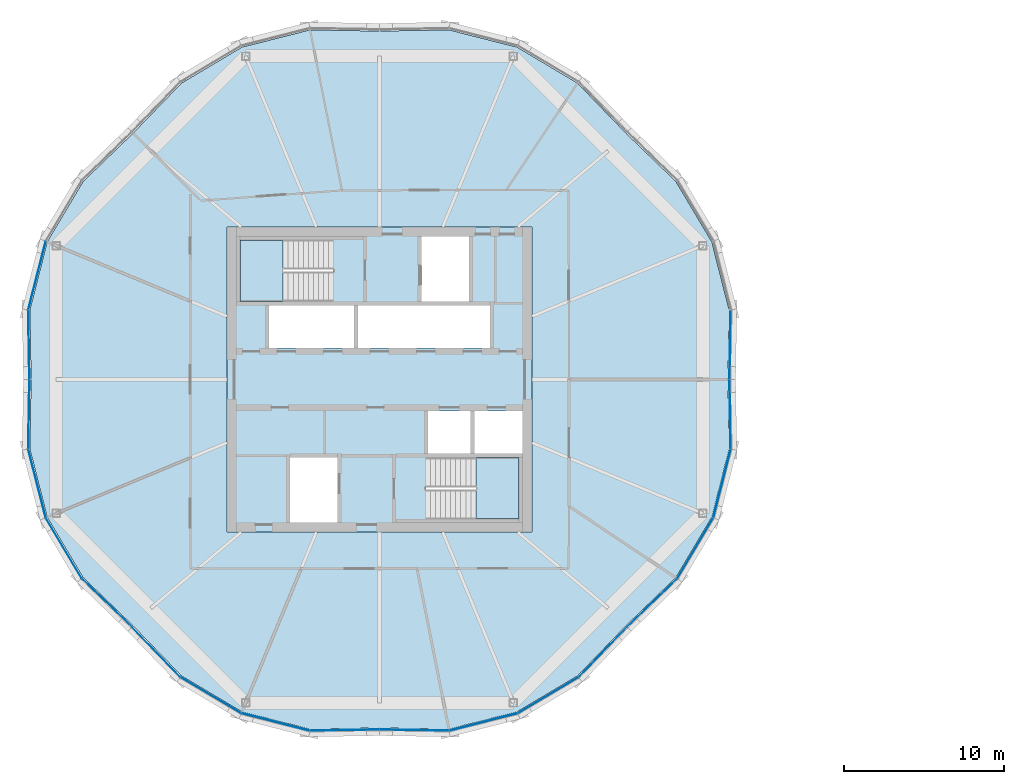
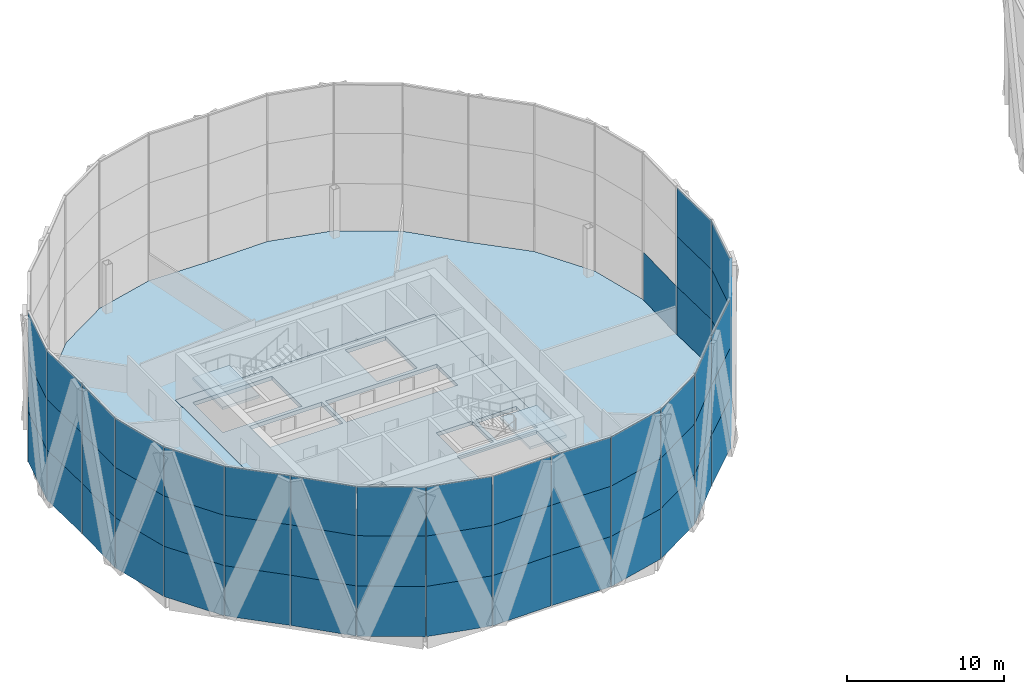
# One storey, part 13 of 23: 55 plates, 4 slabs, 8 elements without a shape of their own.
"""IFC4 building model written with IfcOpenShell, lengths in metres."""

from ifc_helpers import new_model, si_unit, direction, frame, origin, origin_2d, place, context, subcontext, project, spatial, polyline, rectangle, outline, extrude, material, layer, layer_set, type_object, element, aggregate, save


model = new_model("IFC4")

# Units and contexts
model_context = context("Model", 3, precision=1e-05, world=origin(), true_north=direction((0.0, 1.0)))
body_context = subcontext(model_context, "Body", "Model", "MODEL_VIEW")
ifc_project = project(units=[si_unit("LENGTHUNIT", "METRE"), si_unit("AREAUNIT", "SQUARE_METRE"), si_unit("VOLUMEUNIT", "CUBIC_METRE"), si_unit("PLANEANGLEUNIT", "RADIAN"), si_unit("MASSUNIT", "GRAM", prefix="KILO")], contexts=[model_context])

# Site, building, storey
site_placement = place(None, origin())
site = spatial("IfcSite", under=ifc_project, at=site_placement, CompositionType="ELEMENT")
building_placement = place(site_placement, origin())
building = spatial("IfcBuilding", under=site, at=building_placement, Name="Ogive Gate Towers", CompositionType="ELEMENT")
storey_placement = place(building_placement, frame((0.0, 0.0, 177.300048828125)))
storey = spatial("IfcBuildingStorey", under=building, at=storey_placement, Name="L42", CompositionType="ELEMENT", Elevation=177.300048828125)

# Slabs
ifc_material_1 = material(Name="Concrete C40/50", Category="concrete")
ifc_layer_1 = layer(ifc_material_1, 0.300048828125)
ifc_layer_set_1 = layer_set([ifc_layer_1], Name="Core slab C40/50 300 mm")
slab_type_1 = type_object("IfcSlabType", Name="Core slab C40/50 300 mm", PredefinedType="FLOOR", material=ifc_layer_set_1)
slab_1_placement = place(storey_placement, frame((0.0, 0.0, -0.300048828125)))
element("IfcSlab", 1, at=slab_1_placement, inside=storey, type_object=slab_type_1, Name="T1 L42 core slab", PredefinedType="FLOOR", context=body_context, shape_type="SweptSolid", body=[
    extrude(outline(polyline([(-45.5, -9.5), (-45.5, 9.5), (-26.5, 9.5), (-26.5, -9.5), (-45.5, -9.5)]), holes=[polyline([(-42.875, 1.949951171875), (-37.574951171875, 1.949951171875), (-37.574951171875, 4.625), (-42.875, 4.625), (-42.875, 1.949951171875)]), polyline([(-37.324951171875, 4.625), (-37.324951171875, 1.949951171875), (-29.125, 1.949951171875), (-29.125, 4.625), (-37.324951171875, 4.625)]), polyline([(-30.324951171875, -1.949951171875), (-32.97509765625, -1.949951171875), (-32.97509765625, -4.625), (-30.324951171875, -4.625), (-30.324951171875, -1.949951171875)]), polyline([(-27.10009765625, -4.625), (-27.10009765625, -1.949951171875), (-30.074951171875, -1.949951171875), (-30.074951171875, -4.625), (-27.10009765625, -4.625)]), polyline([(-33.375, 4.875), (-30.425048828125, 4.875), (-30.425048828125, 8.89990234375), (-33.375, 8.89990234375), (-33.375, 4.875)]), polyline([(-41.574951171875, -4.875), (-41.574951171875, -8.89990234375), (-38.625, -8.89990234375), (-38.625, -4.875), (-41.574951171875, -4.875)]), polyline([(-44.699951171875, 4.875), (-38.885009765625, 4.875), (-38.885009765625, 8.699951171875), (-44.699951171875, 8.699951171875), (-44.699951171875, 4.875)]), polyline([(-27.300048828125, -8.699951171875), (-27.300048828125, -4.875), (-33.114990234375, -4.875), (-33.114990234375, -8.699951171875), (-27.300048828125, -8.699951171875)])]), origin(), (0.0, 0.0, 1.0), 0.300048828125),
])
ifc_material_2 = material(Name="Concrete C35/45", Category="concrete")
ifc_layer_2 = layer(ifc_material_2, 0.300048828125)
ifc_layer_set_2 = layer_set([ifc_layer_2], Name="Floor slab 300")
slab_type_2 = type_object("IfcSlabType", Name="Floor slab 300", PredefinedType="FLOOR", material=ifc_layer_set_2)
slab_2_placement = place(storey_placement, frame((0.0, 0.0, -0.300048828125)))
element("IfcSlab", 2, at=slab_2_placement, inside=storey, type_object=slab_type_2, Name="T1/L42/SSL001", PredefinedType="FLOOR", context=body_context, shape_type="SweptSolid", body=[
    extrude(outline(polyline([(-14.216796875, -4.3330078125), (-14.2900390625, 0.0), (-14.216796875, 4.3330078125), (-15.2958984375, 8.575927734375), (-17.532958984375, 12.339111328125), (-20.648681640625, 15.351318359375), (-23.660888671875, 18.467041015625), (-27.424072265625, 20.7041015625), (-31.6669921875, 21.783203125), (-36.0, 21.7099609375), (-40.3330078125, 21.783203125), (-44.575927734375, 20.7041015625), (-48.339111328125, 18.467041015625), (-51.351318359375, 15.351318359375), (-54.467041015625, 12.339111328125), (-56.7041015625, 8.575927734375), (-57.783203125, 4.3330078125), (-57.7099609375, 0.0), (-57.783203125, -4.3330078125), (-56.7041015625, -8.575927734375), (-54.467041015625, -12.339111328125), (-51.351318359375, -15.351318359375), (-48.339111328125, -18.467041015625), (-44.575927734375, -20.7041015625), (-40.3330078125, -21.783203125), (-36.0, -21.7099609375), (-31.6669921875, -21.783203125), (-27.424072265625, -20.7041015625), (-23.660888671875, -18.467041015625), (-20.648681640625, -15.351318359375), (-17.532958984375, -12.339111328125), (-15.2958984375, -8.575927734375), (-14.216796875, -4.3330078125)]), holes=[polyline([(-26.5, -9.5), (-45.5, -9.5), (-45.5, 9.5), (-26.5, 9.5), (-26.5, -9.5)])]), origin(), (0.0, 0.0, 1.0), 0.300048828125),
])

# Stair, slab
stair_type = type_object("IfcStairType", Name="Escape stair 1840 wide", PredefinedType="HALF_TURN_STAIR", material=ifc_material_1)
stair_1_placement = place(storey_placement, origin())
stair_1 = element("IfcStair", 3, at=stair_1_placement, inside=storey, type_object=stair_type, Name="L42 Escape stair 1", PredefinedType="HALF_TURN_STAIR")
ifc_layer_3 = layer(ifc_material_1, 0.199951171875)
ifc_layer_set_3 = layer_set([ifc_layer_3], Name="Stair landing 200 mm")
slab_type_3 = type_object("IfcSlabType", Name="Stair landing 200 mm", PredefinedType="LANDING", material=ifc_layer_set_3)
slab_3_placement = place(storey_placement, frame((0.0, 0.0, 1.75)))
slab_3 = element("IfcSlab", 4, at=slab_3_placement, type_object=slab_type_3, Name="ST1 landing 1", PredefinedType="LANDING", context=body_context, shape_type="SweptSolid", body=[
    extrude(outline(polyline([(-42.00146484375, 8.699951171875), (-44.699951171875, 8.699951171875), (-44.699951171875, 4.875), (-42.00146484375, 4.875), (-42.00146484375, 8.699951171875)])), origin(), (0.0, 0.0, 1.0), 0.199951171875),
])
aggregate(stair_1, [slab_3])

stair_2_placement = place(storey_placement, origin())
stair_2 = element("IfcStair", 5, at=stair_2_placement, inside=storey, type_object=stair_type, Name="L42 Escape stair 2", PredefinedType="HALF_TURN_STAIR")
slab_4_placement = place(storey_placement, frame((0.0, 0.0, 1.75)))
slab_4 = element("IfcSlab", 6, at=slab_4_placement, type_object=slab_type_3, Name="ST2 landing 1", PredefinedType="LANDING", context=body_context, shape_type="SweptSolid", body=[
    extrude(outline(polyline([(-29.99853515625, -8.699951171875), (-27.300048828125, -8.699951171875), (-27.300048828125, -4.875), (-29.99853515625, -4.875), (-29.99853515625, -8.699951171875)])), origin(), (0.0, 0.0, 1.0), 0.199951171875),
])
aggregate(stair_2, [slab_4])

# Curtain wall, plate
ifc_material_3 = material(Name="Pale metal aluminium", Category="aluminium")
curtain_wall_type = type_object("IfcCurtainWallType", Name="Tower unitised wall, high zone", PredefinedType="NOTDEFINED", material=ifc_material_3)
curtain_wall_1_placement = place(storey_placement, origin())
curtain_wall_1 = element("IfcCurtainWall", 7, at=curtain_wall_1_placement, inside=storey, type_object=curtain_wall_type, Name="CW2 T1 ECW01", PredefinedType="NOTDEFINED")
ifc_material_4 = material(Name="Clear glass", Category="glass")
ifc_layer_4 = layer(ifc_material_4, 0.028076171875)
ifc_layer_set_4 = layer_set([ifc_layer_4], Name="Tower unitised wall, high zone glass panel")
plate_type = type_object("IfcPlateType", Name="Tower unitised wall, high zone glass panel", PredefinedType="CURTAIN_PANEL", material=ifc_layer_set_4)
plate_1_placement = place(storey_placement, frame((-14.1533203125, 2.17041015625, -0.300048828125), z_axis=(0.0, 0.0, 1.0), x_axis=(0.016911434246, 0.99985699147, 0.0)))
plate_1 = element("IfcPlate", 8, at=plate_1_placement, type_object=plate_type, Name="CW2 glass panel", PredefinedType="CURTAIN_PANEL", context=body_context, shape_type="SweptSolid", body=[
    extrude(rectangle(XDim=4.287353515625, YDim=0.028076171875, at=origin_2d()), origin(), (0.0, 0.0, 1.0), 3.89990234375),
])
aggregate(curtain_wall_1, [plate_1])

# Curtain wall, plates
curtain_wall_2_placement = place(storey_placement, origin())
curtain_wall_2 = element("IfcCurtainWall", 9, at=curtain_wall_2_placement, inside=storey, type_object=curtain_wall_type, Name="CW2 T1 ECW04", PredefinedType="NOTDEFINED")
plate_2_placement = place(storey_placement, frame((-57.340576171875, 6.4794921875, -0.300048828125), z_axis=(0.0, 0.0, 1.0), x_axis=(-0.246491603437, -0.969144926951, 0.0)))
plate_2 = element("IfcPlate", 10, at=plate_2_placement, type_object=plate_type, Name="CW2 glass panel", PredefinedType="CURTAIN_PANEL", context=body_context, shape_type="SweptSolid", body=[
    extrude(rectangle(XDim=4.343994140625, YDim=0.028076171875, at=origin_2d()), origin(), (0.0, 0.0, 1.0), 3.89990234375),
])
plate_3_placement = place(storey_placement, frame((-57.340576171875, 6.4794921875, 3.60009765625), z_axis=(0.0, 0.0, 1.0), x_axis=(-0.246491603437, -0.969144926951, 0.0)))
plate_3 = element("IfcPlate", 11, at=plate_3_placement, type_object=plate_type, Name="CW2 glass panel", PredefinedType="CURTAIN_PANEL", context=body_context, shape_type="SweptSolid", body=[
    extrude(rectangle(XDim=4.343994140625, YDim=0.028076171875, at=origin_2d()), origin(), (0.0, 0.0, 1.0), 3.89990234375),
])
plate_4_placement = place(storey_placement, frame((-57.340576171875, 6.4794921875, 7.5), z_axis=(0.0, 0.0, 1.0), x_axis=(-0.246491603437, -0.969144926951, 0.0)))
plate_4 = element("IfcPlate", 12, at=plate_4_placement, type_object=plate_type, Name="CW2 glass panel", PredefinedType="CURTAIN_PANEL", context=body_context, shape_type="SweptSolid", body=[
    extrude(rectangle(XDim=4.343994140625, YDim=0.028076171875, at=origin_2d()), origin(), (0.0, 0.0, 1.0), 3.803955078125),
])
plate_5_placement = place(storey_placement, frame((-57.8466796875, 2.17041015625, -0.300048828125), z_axis=(0.0, 0.0, 1.0), x_axis=(0.016911434246, -0.99985699147, 0.0)))
plate_5 = element("IfcPlate", 13, at=plate_5_placement, type_object=plate_type, Name="CW2 glass panel", PredefinedType="CURTAIN_PANEL", context=body_context, shape_type="SweptSolid", body=[
    extrude(rectangle(XDim=4.287353515625, YDim=0.028076171875, at=origin_2d()), origin(), (0.0, 0.0, 1.0), 3.89990234375),
])
plate_6_placement = place(storey_placement, frame((-57.8466796875, 2.17041015625, 3.60009765625), z_axis=(0.0, 0.0, 1.0), x_axis=(0.016911434246, -0.99985699147, 0.0)))
plate_6 = element("IfcPlate", 14, at=plate_6_placement, type_object=plate_type, Name="CW2 glass panel", PredefinedType="CURTAIN_PANEL", context=body_context, shape_type="SweptSolid", body=[
    extrude(rectangle(XDim=4.287353515625, YDim=0.028076171875, at=origin_2d()), origin(), (0.0, 0.0, 1.0), 3.89990234375),
])
plate_7_placement = place(storey_placement, frame((-57.8466796875, 2.17041015625, 7.5), z_axis=(0.0, 0.0, 1.0), x_axis=(0.016911434246, -0.99985699147, 0.0)))
plate_7 = element("IfcPlate", 15, at=plate_7_placement, type_object=plate_type, Name="CW2 glass panel", PredefinedType="CURTAIN_PANEL", context=body_context, shape_type="SweptSolid", body=[
    extrude(rectangle(XDim=4.287353515625, YDim=0.028076171875, at=origin_2d()), origin(), (0.0, 0.0, 1.0), 3.803955078125),
])
aggregate(curtain_wall_2, [plate_2, plate_3, plate_4, plate_5, plate_6, plate_7])

curtain_wall_3_placement = place(storey_placement, origin())
curtain_wall_3 = element("IfcCurtainWall", 16, at=curtain_wall_3_placement, inside=storey, type_object=curtain_wall_type, Name="CW2 T1 ECW05", PredefinedType="NOTDEFINED")
plate_8_placement = place(storey_placement, frame((-57.8466796875, -2.17041015625, -0.300048828125), z_axis=(0.0, 0.0, 1.0), x_axis=(-0.016911434246, -0.99985699147, 0.0)))
plate_8 = element("IfcPlate", 17, at=plate_8_placement, type_object=plate_type, Name="CW2 glass panel", PredefinedType="CURTAIN_PANEL", context=body_context, shape_type="SweptSolid", body=[
    extrude(rectangle(XDim=4.287353515625, YDim=0.028076171875, at=origin_2d()), origin(), (0.0, 0.0, 1.0), 3.89990234375),
])
plate_9_placement = place(storey_placement, frame((-57.8466796875, -2.17041015625, 3.60009765625), z_axis=(0.0, 0.0, 1.0), x_axis=(-0.016911434246, -0.99985699147, 0.0)))
plate_9 = element("IfcPlate", 18, at=plate_9_placement, type_object=plate_type, Name="CW2 glass panel", PredefinedType="CURTAIN_PANEL", context=body_context, shape_type="SweptSolid", body=[
    extrude(rectangle(XDim=4.287353515625, YDim=0.028076171875, at=origin_2d()), origin(), (0.0, 0.0, 1.0), 3.89990234375),
])
plate_10_placement = place(storey_placement, frame((-57.8466796875, -2.17041015625, 7.5), z_axis=(0.0, 0.0, 1.0), x_axis=(-0.016911434246, -0.99985699147, 0.0)))
plate_10 = element("IfcPlate", 19, at=plate_10_placement, type_object=plate_type, Name="CW2 glass panel", PredefinedType="CURTAIN_PANEL", context=body_context, shape_type="SweptSolid", body=[
    extrude(rectangle(XDim=4.287353515625, YDim=0.028076171875, at=origin_2d()), origin(), (0.0, 0.0, 1.0), 3.803955078125),
])
plate_11_placement = place(storey_placement, frame((-57.340576171875, -6.4794921875, -0.300048828125), z_axis=(0.0, 0.0, 1.0), x_axis=(0.246491603437, -0.969144926951, 0.0)))
plate_11 = element("IfcPlate", 20, at=plate_11_placement, type_object=plate_type, Name="CW2 glass panel", PredefinedType="CURTAIN_PANEL", context=body_context, shape_type="SweptSolid", body=[
    extrude(rectangle(XDim=4.343994140625, YDim=0.028076171875, at=origin_2d()), origin(), (0.0, 0.0, 1.0), 3.89990234375),
])
plate_12_placement = place(storey_placement, frame((-57.340576171875, -6.4794921875, 3.60009765625), z_axis=(0.0, 0.0, 1.0), x_axis=(0.246491603437, -0.969144926951, 0.0)))
plate_12 = element("IfcPlate", 21, at=plate_12_placement, type_object=plate_type, Name="CW2 glass panel", PredefinedType="CURTAIN_PANEL", context=body_context, shape_type="SweptSolid", body=[
    extrude(rectangle(XDim=4.343994140625, YDim=0.028076171875, at=origin_2d()), origin(), (0.0, 0.0, 1.0), 3.89990234375),
])
plate_13_placement = place(storey_placement, frame((-57.340576171875, -6.4794921875, 7.5), z_axis=(0.0, 0.0, 1.0), x_axis=(0.246491603437, -0.969144926951, 0.0)))
plate_13 = element("IfcPlate", 22, at=plate_13_placement, type_object=plate_type, Name="CW2 glass panel", PredefinedType="CURTAIN_PANEL", context=body_context, shape_type="SweptSolid", body=[
    extrude(rectangle(XDim=4.343994140625, YDim=0.028076171875, at=origin_2d()), origin(), (0.0, 0.0, 1.0), 3.803955078125),
])
plate_14_placement = place(storey_placement, frame((-55.671875, -10.50830078125, -0.300048828125), z_axis=(0.0, 0.0, 1.0), x_axis=(0.510993065504, -0.859584834096, 0.0)))
plate_14 = element("IfcPlate", 23, at=plate_14_placement, type_object=plate_type, Name="CW2 glass panel", PredefinedType="CURTAIN_PANEL", context=body_context, shape_type="SweptSolid", body=[
    extrude(rectangle(XDim=4.343994140625, YDim=0.028076171875, at=origin_2d()), origin(), (0.0, 0.0, 1.0), 3.89990234375),
])
plate_15_placement = place(storey_placement, frame((-55.671875, -10.50830078125, 3.60009765625), z_axis=(0.0, 0.0, 1.0), x_axis=(0.510993065504, -0.859584834096, 0.0)))
plate_15 = element("IfcPlate", 24, at=plate_15_placement, type_object=plate_type, Name="CW2 glass panel", PredefinedType="CURTAIN_PANEL", context=body_context, shape_type="SweptSolid", body=[
    extrude(rectangle(XDim=4.343994140625, YDim=0.028076171875, at=origin_2d()), origin(), (0.0, 0.0, 1.0), 3.89990234375),
])
plate_16_placement = place(storey_placement, frame((-55.671875, -10.50830078125, 7.5), z_axis=(0.0, 0.0, 1.0), x_axis=(0.510993065504, -0.859584834096, 0.0)))
plate_16 = element("IfcPlate", 25, at=plate_16_placement, type_object=plate_type, Name="CW2 glass panel", PredefinedType="CURTAIN_PANEL", context=body_context, shape_type="SweptSolid", body=[
    extrude(rectangle(XDim=4.343994140625, YDim=0.028076171875, at=origin_2d()), origin(), (0.0, 0.0, 1.0), 3.803955078125),
])
plate_17_placement = place(storey_placement, frame((-52.982666015625, -13.9130859375, -0.300048828125), z_axis=(0.0, 0.0, 1.0), x_axis=(0.71896384872, -0.69504746905, 0.0)))
plate_17 = element("IfcPlate", 26, at=plate_17_placement, type_object=plate_type, Name="CW2 glass panel", PredefinedType="CURTAIN_PANEL", context=body_context, shape_type="SweptSolid", body=[
    extrude(rectangle(XDim=4.287353515625, YDim=0.028076171875, at=origin_2d()), origin(), (0.0, 0.0, 1.0), 3.89990234375),
])
plate_18_placement = place(storey_placement, frame((-52.982666015625, -13.9130859375, 3.60009765625), z_axis=(0.0, 0.0, 1.0), x_axis=(0.71896384872, -0.69504746905, 0.0)))
plate_18 = element("IfcPlate", 27, at=plate_18_placement, type_object=plate_type, Name="CW2 glass panel", PredefinedType="CURTAIN_PANEL", context=body_context, shape_type="SweptSolid", body=[
    extrude(rectangle(XDim=4.287353515625, YDim=0.028076171875, at=origin_2d()), origin(), (0.0, 0.0, 1.0), 3.89990234375),
])
plate_19_placement = place(storey_placement, frame((-52.982666015625, -13.9130859375, 7.5), z_axis=(0.0, 0.0, 1.0), x_axis=(0.71896384872, -0.69504746905, 0.0)))
plate_19 = element("IfcPlate", 28, at=plate_19_placement, type_object=plate_type, Name="CW2 glass panel", PredefinedType="CURTAIN_PANEL", context=body_context, shape_type="SweptSolid", body=[
    extrude(rectangle(XDim=4.287353515625, YDim=0.028076171875, at=origin_2d()), origin(), (0.0, 0.0, 1.0), 3.803955078125),
])
aggregate(curtain_wall_3, [plate_8, plate_9, plate_10, plate_11, plate_12, plate_13, plate_14, plate_15, plate_16, plate_17, plate_18, plate_19])

curtain_wall_4_placement = place(storey_placement, origin())
curtain_wall_4 = element("IfcCurtainWall", 29, at=curtain_wall_4_placement, inside=storey, type_object=curtain_wall_type, Name="CW2 T1 ECW06", PredefinedType="NOTDEFINED")
plate_20_placement = place(storey_placement, frame((-49.9130859375, -16.982666015625, -0.300048828125), z_axis=(0.0, 0.0, 1.0), x_axis=(0.69504746905, -0.71896384872, 0.0)))
plate_20 = element("IfcPlate", 30, at=plate_20_placement, type_object=plate_type, Name="CW2 glass panel", PredefinedType="CURTAIN_PANEL", context=body_context, shape_type="SweptSolid", body=[
    extrude(rectangle(XDim=4.287353515625, YDim=0.028076171875, at=origin_2d()), origin(), (0.0, 0.0, 1.0), 3.89990234375),
])
plate_21_placement = place(storey_placement, frame((-49.9130859375, -16.982666015625, 3.60009765625), z_axis=(0.0, 0.0, 1.0), x_axis=(0.69504746905, -0.71896384872, 0.0)))
plate_21 = element("IfcPlate", 31, at=plate_21_placement, type_object=plate_type, Name="CW2 glass panel", PredefinedType="CURTAIN_PANEL", context=body_context, shape_type="SweptSolid", body=[
    extrude(rectangle(XDim=4.287353515625, YDim=0.028076171875, at=origin_2d()), origin(), (0.0, 0.0, 1.0), 3.89990234375),
])
plate_22_placement = place(storey_placement, frame((-49.9130859375, -16.982666015625, 7.5), z_axis=(0.0, 0.0, 1.0), x_axis=(0.69504746905, -0.71896384872, 0.0)))
plate_22 = element("IfcPlate", 32, at=plate_22_placement, type_object=plate_type, Name="CW2 glass panel", PredefinedType="CURTAIN_PANEL", context=body_context, shape_type="SweptSolid", body=[
    extrude(rectangle(XDim=4.287353515625, YDim=0.028076171875, at=origin_2d()), origin(), (0.0, 0.0, 1.0), 3.803955078125),
])
plate_23_placement = place(storey_placement, frame((-46.50830078125, -19.671875, -0.300048828125), z_axis=(0.0, 0.0, 1.0), x_axis=(0.859584834096, -0.510993065504, 0.0)))
plate_23 = element("IfcPlate", 33, at=plate_23_placement, type_object=plate_type, Name="CW2 glass panel", PredefinedType="CURTAIN_PANEL", context=body_context, shape_type="SweptSolid", body=[
    extrude(rectangle(XDim=4.343994140625, YDim=0.028076171875, at=origin_2d()), origin(), (0.0, 0.0, 1.0), 3.89990234375),
])
plate_24_placement = place(storey_placement, frame((-46.50830078125, -19.671875, 3.60009765625), z_axis=(0.0, 0.0, 1.0), x_axis=(0.859584834096, -0.510993065504, 0.0)))
plate_24 = element("IfcPlate", 34, at=plate_24_placement, type_object=plate_type, Name="CW2 glass panel", PredefinedType="CURTAIN_PANEL", context=body_context, shape_type="SweptSolid", body=[
    extrude(rectangle(XDim=4.343994140625, YDim=0.028076171875, at=origin_2d()), origin(), (0.0, 0.0, 1.0), 3.89990234375),
])
plate_25_placement = place(storey_placement, frame((-46.50830078125, -19.671875, 7.5), z_axis=(0.0, 0.0, 1.0), x_axis=(0.859584834096, -0.510993065504, 0.0)))
plate_25 = element("IfcPlate", 35, at=plate_25_placement, type_object=plate_type, Name="CW2 glass panel", PredefinedType="CURTAIN_PANEL", context=body_context, shape_type="SweptSolid", body=[
    extrude(rectangle(XDim=4.343994140625, YDim=0.028076171875, at=origin_2d()), origin(), (0.0, 0.0, 1.0), 3.803955078125),
])
plate_26_placement = place(storey_placement, frame((-42.4794921875, -21.340576171875, -0.300048828125), z_axis=(0.0, 0.0, 1.0), x_axis=(0.969144926951, -0.246491603437, 0.0)))
plate_26 = element("IfcPlate", 36, at=plate_26_placement, type_object=plate_type, Name="CW2 glass panel", PredefinedType="CURTAIN_PANEL", context=body_context, shape_type="SweptSolid", body=[
    extrude(rectangle(XDim=4.343994140625, YDim=0.028076171875, at=origin_2d()), origin(), (0.0, 0.0, 1.0), 3.89990234375),
])
plate_27_placement = place(storey_placement, frame((-42.4794921875, -21.340576171875, 3.60009765625), z_axis=(0.0, 0.0, 1.0), x_axis=(0.969144926951, -0.246491603437, 0.0)))
plate_27 = element("IfcPlate", 37, at=plate_27_placement, type_object=plate_type, Name="CW2 glass panel", PredefinedType="CURTAIN_PANEL", context=body_context, shape_type="SweptSolid", body=[
    extrude(rectangle(XDim=4.343994140625, YDim=0.028076171875, at=origin_2d()), origin(), (0.0, 0.0, 1.0), 3.89990234375),
])
plate_28_placement = place(storey_placement, frame((-42.4794921875, -21.340576171875, 7.5), z_axis=(0.0, 0.0, 1.0), x_axis=(0.969144926951, -0.246491603437, 0.0)))
plate_28 = element("IfcPlate", 38, at=plate_28_placement, type_object=plate_type, Name="CW2 glass panel", PredefinedType="CURTAIN_PANEL", context=body_context, shape_type="SweptSolid", body=[
    extrude(rectangle(XDim=4.343994140625, YDim=0.028076171875, at=origin_2d()), origin(), (0.0, 0.0, 1.0), 3.803955078125),
])
plate_29_placement = place(storey_placement, frame((-38.17041015625, -21.8466796875, -0.300048828125), z_axis=(0.0, 0.0, 1.0), x_axis=(0.99985699147, 0.016911434246, 0.0)))
plate_29 = element("IfcPlate", 39, at=plate_29_placement, type_object=plate_type, Name="CW2 glass panel", PredefinedType="CURTAIN_PANEL", context=body_context, shape_type="SweptSolid", body=[
    extrude(rectangle(XDim=4.287353515625, YDim=0.028076171875, at=origin_2d()), origin(), (0.0, 0.0, 1.0), 3.89990234375),
])
plate_30_placement = place(storey_placement, frame((-38.17041015625, -21.8466796875, 3.60009765625), z_axis=(0.0, 0.0, 1.0), x_axis=(0.99985699147, 0.016911434246, 0.0)))
plate_30 = element("IfcPlate", 40, at=plate_30_placement, type_object=plate_type, Name="CW2 glass panel", PredefinedType="CURTAIN_PANEL", context=body_context, shape_type="SweptSolid", body=[
    extrude(rectangle(XDim=4.287353515625, YDim=0.028076171875, at=origin_2d()), origin(), (0.0, 0.0, 1.0), 3.89990234375),
])
plate_31_placement = place(storey_placement, frame((-38.17041015625, -21.8466796875, 7.5), z_axis=(0.0, 0.0, 1.0), x_axis=(0.99985699147, 0.016911434246, 0.0)))
plate_31 = element("IfcPlate", 41, at=plate_31_placement, type_object=plate_type, Name="CW2 glass panel", PredefinedType="CURTAIN_PANEL", context=body_context, shape_type="SweptSolid", body=[
    extrude(rectangle(XDim=4.287353515625, YDim=0.028076171875, at=origin_2d()), origin(), (0.0, 0.0, 1.0), 3.803955078125),
])
aggregate(curtain_wall_4, [plate_20, plate_21, plate_22, plate_23, plate_24, plate_25, plate_26, plate_27, plate_28, plate_29, plate_30, plate_31])

curtain_wall_5_placement = place(storey_placement, origin())
curtain_wall_5 = element("IfcCurtainWall", 42, at=curtain_wall_5_placement, inside=storey, type_object=curtain_wall_type, Name="CW2 T1 ECW07", PredefinedType="NOTDEFINED")
plate_32_placement = place(storey_placement, frame((-33.82958984375, -21.8466796875, -0.300048828125), z_axis=(0.0, 0.0, 1.0), x_axis=(0.99985699147, -0.016911434246, 0.0)))
plate_32 = element("IfcPlate", 43, at=plate_32_placement, type_object=plate_type, Name="CW2 glass panel", PredefinedType="CURTAIN_PANEL", context=body_context, shape_type="SweptSolid", body=[
    extrude(rectangle(XDim=4.287353515625, YDim=0.028076171875, at=origin_2d()), origin(), (0.0, 0.0, 1.0), 3.89990234375),
])
plate_33_placement = place(storey_placement, frame((-33.82958984375, -21.8466796875, 3.60009765625), z_axis=(0.0, 0.0, 1.0), x_axis=(0.99985699147, -0.016911434246, 0.0)))
plate_33 = element("IfcPlate", 44, at=plate_33_placement, type_object=plate_type, Name="CW2 glass panel", PredefinedType="CURTAIN_PANEL", context=body_context, shape_type="SweptSolid", body=[
    extrude(rectangle(XDim=4.287353515625, YDim=0.028076171875, at=origin_2d()), origin(), (0.0, 0.0, 1.0), 3.89990234375),
])
plate_34_placement = place(storey_placement, frame((-33.82958984375, -21.8466796875, 7.5), z_axis=(0.0, 0.0, 1.0), x_axis=(0.99985699147, -0.016911434246, 0.0)))
plate_34 = element("IfcPlate", 45, at=plate_34_placement, type_object=plate_type, Name="CW2 glass panel", PredefinedType="CURTAIN_PANEL", context=body_context, shape_type="SweptSolid", body=[
    extrude(rectangle(XDim=4.287353515625, YDim=0.028076171875, at=origin_2d()), origin(), (0.0, 0.0, 1.0), 3.803955078125),
])
plate_35_placement = place(storey_placement, frame((-29.5205078125, -21.340576171875, -0.300048828125), z_axis=(0.0, 0.0, 1.0), x_axis=(0.969144926951, 0.246491603437, 0.0)))
plate_35 = element("IfcPlate", 46, at=plate_35_placement, type_object=plate_type, Name="CW2 glass panel", PredefinedType="CURTAIN_PANEL", context=body_context, shape_type="SweptSolid", body=[
    extrude(rectangle(XDim=4.343994140625, YDim=0.028076171875, at=origin_2d()), origin(), (0.0, 0.0, 1.0), 3.89990234375),
])
plate_36_placement = place(storey_placement, frame((-29.5205078125, -21.340576171875, 3.60009765625), z_axis=(0.0, 0.0, 1.0), x_axis=(0.969144926951, 0.246491603437, 0.0)))
plate_36 = element("IfcPlate", 47, at=plate_36_placement, type_object=plate_type, Name="CW2 glass panel", PredefinedType="CURTAIN_PANEL", context=body_context, shape_type="SweptSolid", body=[
    extrude(rectangle(XDim=4.343994140625, YDim=0.028076171875, at=origin_2d()), origin(), (0.0, 0.0, 1.0), 3.89990234375),
])
plate_37_placement = place(storey_placement, frame((-29.5205078125, -21.340576171875, 7.5), z_axis=(0.0, 0.0, 1.0), x_axis=(0.969144926951, 0.246491603437, 0.0)))
plate_37 = element("IfcPlate", 48, at=plate_37_placement, type_object=plate_type, Name="CW2 glass panel", PredefinedType="CURTAIN_PANEL", context=body_context, shape_type="SweptSolid", body=[
    extrude(rectangle(XDim=4.343994140625, YDim=0.028076171875, at=origin_2d()), origin(), (0.0, 0.0, 1.0), 3.803955078125),
])
plate_38_placement = place(storey_placement, frame((-25.49169921875, -19.671875, -0.300048828125), z_axis=(0.0, 0.0, 1.0), x_axis=(0.859584834096, 0.510993065504, 0.0)))
plate_38 = element("IfcPlate", 49, at=plate_38_placement, type_object=plate_type, Name="CW2 glass panel", PredefinedType="CURTAIN_PANEL", context=body_context, shape_type="SweptSolid", body=[
    extrude(rectangle(XDim=4.343994140625, YDim=0.028076171875, at=origin_2d()), origin(), (0.0, 0.0, 1.0), 3.89990234375),
])
plate_39_placement = place(storey_placement, frame((-25.49169921875, -19.671875, 3.60009765625), z_axis=(0.0, 0.0, 1.0), x_axis=(0.859584834096, 0.510993065504, 0.0)))
plate_39 = element("IfcPlate", 50, at=plate_39_placement, type_object=plate_type, Name="CW2 glass panel", PredefinedType="CURTAIN_PANEL", context=body_context, shape_type="SweptSolid", body=[
    extrude(rectangle(XDim=4.343994140625, YDim=0.028076171875, at=origin_2d()), origin(), (0.0, 0.0, 1.0), 3.89990234375),
])
plate_40_placement = place(storey_placement, frame((-25.49169921875, -19.671875, 7.5), z_axis=(0.0, 0.0, 1.0), x_axis=(0.859584834096, 0.510993065504, 0.0)))
plate_40 = element("IfcPlate", 51, at=plate_40_placement, type_object=plate_type, Name="CW2 glass panel", PredefinedType="CURTAIN_PANEL", context=body_context, shape_type="SweptSolid", body=[
    extrude(rectangle(XDim=4.343994140625, YDim=0.028076171875, at=origin_2d()), origin(), (0.0, 0.0, 1.0), 3.803955078125),
])
plate_41_placement = place(storey_placement, frame((-22.0869140625, -16.982666015625, -0.300048828125), z_axis=(0.0, 0.0, 1.0), x_axis=(0.69504746905, 0.71896384872, 0.0)))
plate_41 = element("IfcPlate", 52, at=plate_41_placement, type_object=plate_type, Name="CW2 glass panel", PredefinedType="CURTAIN_PANEL", context=body_context, shape_type="SweptSolid", body=[
    extrude(rectangle(XDim=4.287353515625, YDim=0.028076171875, at=origin_2d()), origin(), (0.0, 0.0, 1.0), 3.89990234375),
])
plate_42_placement = place(storey_placement, frame((-22.0869140625, -16.982666015625, 3.60009765625), z_axis=(0.0, 0.0, 1.0), x_axis=(0.69504746905, 0.71896384872, 0.0)))
plate_42 = element("IfcPlate", 53, at=plate_42_placement, type_object=plate_type, Name="CW2 glass panel", PredefinedType="CURTAIN_PANEL", context=body_context, shape_type="SweptSolid", body=[
    extrude(rectangle(XDim=4.287353515625, YDim=0.028076171875, at=origin_2d()), origin(), (0.0, 0.0, 1.0), 3.89990234375),
])
plate_43_placement = place(storey_placement, frame((-22.0869140625, -16.982666015625, 7.5), z_axis=(0.0, 0.0, 1.0), x_axis=(0.69504746905, 0.71896384872, 0.0)))
plate_43 = element("IfcPlate", 54, at=plate_43_placement, type_object=plate_type, Name="CW2 glass panel", PredefinedType="CURTAIN_PANEL", context=body_context, shape_type="SweptSolid", body=[
    extrude(rectangle(XDim=4.287353515625, YDim=0.028076171875, at=origin_2d()), origin(), (0.0, 0.0, 1.0), 3.803955078125),
])
aggregate(curtain_wall_5, [plate_32, plate_33, plate_34, plate_35, plate_36, plate_37, plate_38, plate_39, plate_40, plate_41, plate_42, plate_43])

curtain_wall_6_placement = place(storey_placement, origin())
curtain_wall_6 = element("IfcCurtainWall", 55, at=curtain_wall_6_placement, inside=storey, type_object=curtain_wall_type, Name="CW2 T1 ECW08", PredefinedType="NOTDEFINED")
plate_44_placement = place(storey_placement, frame((-19.017333984375, -13.9130859375, -0.300048828125), z_axis=(0.0, 0.0, 1.0), x_axis=(0.71896384872, 0.69504746905, 0.0)))
plate_44 = element("IfcPlate", 56, at=plate_44_placement, type_object=plate_type, Name="CW2 glass panel", PredefinedType="CURTAIN_PANEL", context=body_context, shape_type="SweptSolid", body=[
    extrude(rectangle(XDim=4.287353515625, YDim=0.028076171875, at=origin_2d()), origin(), (0.0, 0.0, 1.0), 3.89990234375),
])
plate_45_placement = place(storey_placement, frame((-19.017333984375, -13.9130859375, 3.60009765625), z_axis=(0.0, 0.0, 1.0), x_axis=(0.71896384872, 0.69504746905, 0.0)))
plate_45 = element("IfcPlate", 57, at=plate_45_placement, type_object=plate_type, Name="CW2 glass panel", PredefinedType="CURTAIN_PANEL", context=body_context, shape_type="SweptSolid", body=[
    extrude(rectangle(XDim=4.287353515625, YDim=0.028076171875, at=origin_2d()), origin(), (0.0, 0.0, 1.0), 3.89990234375),
])
plate_46_placement = place(storey_placement, frame((-19.017333984375, -13.9130859375, 7.5), z_axis=(0.0, 0.0, 1.0), x_axis=(0.71896384872, 0.69504746905, 0.0)))
plate_46 = element("IfcPlate", 58, at=plate_46_placement, type_object=plate_type, Name="CW2 glass panel", PredefinedType="CURTAIN_PANEL", context=body_context, shape_type="SweptSolid", body=[
    extrude(rectangle(XDim=4.287353515625, YDim=0.028076171875, at=origin_2d()), origin(), (0.0, 0.0, 1.0), 3.803955078125),
])
plate_47_placement = place(storey_placement, frame((-16.328125, -10.50830078125, -0.300048828125), z_axis=(0.0, 0.0, 1.0), x_axis=(0.510993065504, 0.859584834096, 0.0)))
plate_47 = element("IfcPlate", 59, at=plate_47_placement, type_object=plate_type, Name="CW2 glass panel", PredefinedType="CURTAIN_PANEL", context=body_context, shape_type="SweptSolid", body=[
    extrude(rectangle(XDim=4.343994140625, YDim=0.028076171875, at=origin_2d()), origin(), (0.0, 0.0, 1.0), 3.89990234375),
])
plate_48_placement = place(storey_placement, frame((-16.328125, -10.50830078125, 3.60009765625), z_axis=(0.0, 0.0, 1.0), x_axis=(0.510993065504, 0.859584834096, 0.0)))
plate_48 = element("IfcPlate", 60, at=plate_48_placement, type_object=plate_type, Name="CW2 glass panel", PredefinedType="CURTAIN_PANEL", context=body_context, shape_type="SweptSolid", body=[
    extrude(rectangle(XDim=4.343994140625, YDim=0.028076171875, at=origin_2d()), origin(), (0.0, 0.0, 1.0), 3.89990234375),
])
plate_49_placement = place(storey_placement, frame((-16.328125, -10.50830078125, 7.5), z_axis=(0.0, 0.0, 1.0), x_axis=(0.510993065504, 0.859584834096, 0.0)))
plate_49 = element("IfcPlate", 61, at=plate_49_placement, type_object=plate_type, Name="CW2 glass panel", PredefinedType="CURTAIN_PANEL", context=body_context, shape_type="SweptSolid", body=[
    extrude(rectangle(XDim=4.343994140625, YDim=0.028076171875, at=origin_2d()), origin(), (0.0, 0.0, 1.0), 3.803955078125),
])
plate_50_placement = place(storey_placement, frame((-14.659423828125, -6.4794921875, -0.300048828125), z_axis=(0.0, 0.0, 1.0), x_axis=(0.246491603437, 0.969144926951, 0.0)))
plate_50 = element("IfcPlate", 62, at=plate_50_placement, type_object=plate_type, Name="CW2 glass panel", PredefinedType="CURTAIN_PANEL", context=body_context, shape_type="SweptSolid", body=[
    extrude(rectangle(XDim=4.343994140625, YDim=0.028076171875, at=origin_2d()), origin(), (0.0, 0.0, 1.0), 3.89990234375),
])
plate_51_placement = place(storey_placement, frame((-14.659423828125, -6.4794921875, 3.60009765625), z_axis=(0.0, 0.0, 1.0), x_axis=(0.246491603437, 0.969144926951, 0.0)))
plate_51 = element("IfcPlate", 63, at=plate_51_placement, type_object=plate_type, Name="CW2 glass panel", PredefinedType="CURTAIN_PANEL", context=body_context, shape_type="SweptSolid", body=[
    extrude(rectangle(XDim=4.343994140625, YDim=0.028076171875, at=origin_2d()), origin(), (0.0, 0.0, 1.0), 3.89990234375),
])
plate_52_placement = place(storey_placement, frame((-14.659423828125, -6.4794921875, 7.5), z_axis=(0.0, 0.0, 1.0), x_axis=(0.246491603437, 0.969144926951, 0.0)))
plate_52 = element("IfcPlate", 64, at=plate_52_placement, type_object=plate_type, Name="CW2 glass panel", PredefinedType="CURTAIN_PANEL", context=body_context, shape_type="SweptSolid", body=[
    extrude(rectangle(XDim=4.343994140625, YDim=0.028076171875, at=origin_2d()), origin(), (0.0, 0.0, 1.0), 3.803955078125),
])
plate_53_placement = place(storey_placement, frame((-14.1533203125, -2.17041015625, -0.300048828125), z_axis=(0.0, 0.0, 1.0), x_axis=(-0.016911434246, 0.99985699147, 0.0)))
plate_53 = element("IfcPlate", 65, at=plate_53_placement, type_object=plate_type, Name="CW2 glass panel", PredefinedType="CURTAIN_PANEL", context=body_context, shape_type="SweptSolid", body=[
    extrude(rectangle(XDim=4.287353515625, YDim=0.028076171875, at=origin_2d()), origin(), (0.0, 0.0, 1.0), 3.89990234375),
])
plate_54_placement = place(storey_placement, frame((-14.1533203125, -2.17041015625, 3.60009765625), z_axis=(0.0, 0.0, 1.0), x_axis=(-0.016911434246, 0.99985699147, 0.0)))
plate_54 = element("IfcPlate", 66, at=plate_54_placement, type_object=plate_type, Name="CW2 glass panel", PredefinedType="CURTAIN_PANEL", context=body_context, shape_type="SweptSolid", body=[
    extrude(rectangle(XDim=4.287353515625, YDim=0.028076171875, at=origin_2d()), origin(), (0.0, 0.0, 1.0), 3.89990234375),
])
plate_55_placement = place(storey_placement, frame((-14.1533203125, -2.17041015625, 7.5), z_axis=(0.0, 0.0, 1.0), x_axis=(-0.016911434246, 0.99985699147, 0.0)))
plate_55 = element("IfcPlate", 67, at=plate_55_placement, type_object=plate_type, Name="CW2 glass panel", PredefinedType="CURTAIN_PANEL", context=body_context, shape_type="SweptSolid", body=[
    extrude(rectangle(XDim=4.287353515625, YDim=0.028076171875, at=origin_2d()), origin(), (0.0, 0.0, 1.0), 3.803955078125),
])
aggregate(curtain_wall_6, [plate_44, plate_45, plate_46, plate_47, plate_48, plate_49, plate_50, plate_51, plate_52, plate_53, plate_54, plate_55])

save(model, "model.ifc")
